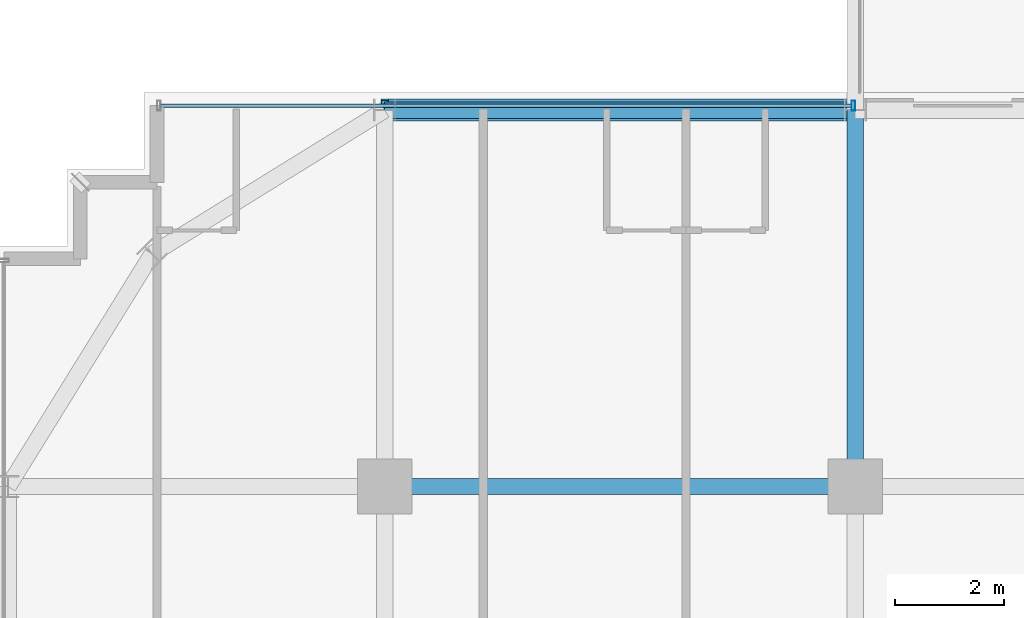
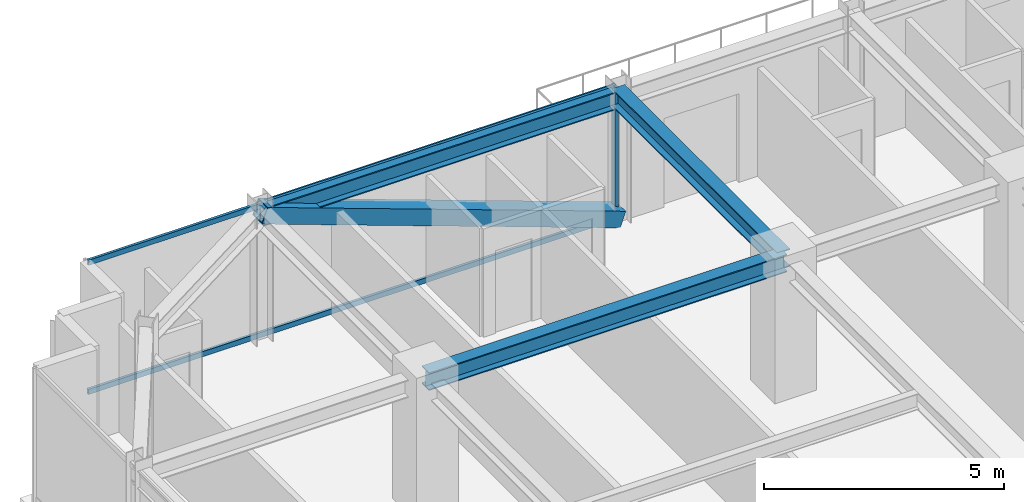
# One storey, part 21 of 43: 4 members, 3 beams, 1 element without a shape of its own.
"""IFC4 building model written with IfcOpenShell, lengths in metres."""

from ifc_helpers import new_model, si_unit, direction, frame, origin, origin_2d, place, context, subcontext, project, spatial, hollow_rectangle, i_section, extrude, source, transform, mapped, material, material_profile, profile_set, type_object, element, aggregate, save


model = new_model("IFC4")

# Units and contexts
model_context = context("Model", 3, precision=1e-05, world=origin(), true_north=direction((0.0, 1.0)))
body_context = subcontext(model_context, "Body", "Model", "MODEL_VIEW")
ifc_project = project(units=[si_unit("LENGTHUNIT", "METRE"), si_unit("AREAUNIT", "SQUARE_METRE"), si_unit("VOLUMEUNIT", "CUBIC_METRE"), si_unit("PLANEANGLEUNIT", "RADIAN"), si_unit("MASSUNIT", "GRAM", prefix="KILO")], contexts=[model_context])

# Site, building, storey
site_placement = place(None, origin())
site = spatial("IfcSite", under=ifc_project, at=site_placement, CompositionType="ELEMENT")
building_placement = place(site_placement, origin())
building = spatial("IfcBuilding", under=site, at=building_placement, Name="Nahalor Promenade Grand Hotel", CompositionType="ELEMENT")
storey_placement = place(building_placement, frame((0.0, 0.0, 204.89990234375)))
storey = spatial("IfcBuildingStorey", under=building, at=storey_placement, Name="L52", CompositionType="ELEMENT", Elevation=204.89990234375)

# Beams
ifc_material_1 = material(Name="Steel S355JR", Category="steel")
ifc_material_profile_1 = material_profile(ifc_material_1, i_section(OverallWidth=0.3, OverallDepth=0.45, WebThickness=0.014, FlangeThickness=0.026, at=origin_2d()), Name="HEB 450")
ifc_profile_set_1 = profile_set([ifc_material_profile_1], Name="Steel S355JR")
beam_type_1 = type_object("IfcBeamType", Name="Beam-Spandrel-HEB450", PredefinedType="SPANDREL", material=ifc_profile_set_1)
shared_shape_1 = source(origin(), body_context, "Body", "SweptSolid", [
    extrude(i_section(OverallWidth=0.3, OverallDepth=0.45, WebThickness=0.014, FlangeThickness=0.026, at=origin_2d()), origin(), (0.0, 0.0, 1.0), 8.60009765625),
])
beam_1_placement = place(storey_placement, frame((-17.0, 23.8798828125, 3.18505859375), z_axis=(1.0, 0.0, 0.0), x_axis=(0.0, 1.0, 0.0)))
element("IfcBeam", 1, at=beam_1_placement, inside=storey, type_object=beam_type_1, Name="BM-L52-SP-N-0", PredefinedType="SPANDREL", context=body_context, shape_type="MappedRepresentation", body=[
    mapped(shared_shape_1, transform((0.0, 0.0, 0.0), scale=1.0)),
])
ifc_material_profile_2 = material_profile(ifc_material_1, i_section(OverallWidth=0.3, OverallDepth=0.45, WebThickness=0.014, FlangeThickness=0.026, at=origin_2d()), Name="HEB 450")
ifc_profile_set_2 = profile_set([ifc_material_profile_2], Name="Steel S355JR")
beam_type_2 = type_object("IfcBeamType", Name="Beam-Girder-HEB450", PredefinedType="BEAM", material=ifc_profile_set_2)
shared_shape_2 = source(origin(), body_context, "Body", "SweptSolid", [
    extrude(i_section(OverallWidth=0.3, OverallDepth=0.45, WebThickness=0.014, FlangeThickness=0.026, at=origin_2d()), origin(), (0.0, 0.0, 1.0), 6.8798828125),
])
beam_2_placement = place(storey_placement, frame((-8.39990234375, 17.0, 3.18505859375), z_axis=(0.0, 1.0, 0.0), x_axis=(-1.0, 0.0, 0.0)))
element("IfcBeam", 2, at=beam_2_placement, inside=storey, type_object=beam_type_2, Name="BM-L52-GY-1-4", PredefinedType="BEAM", context=body_context, shape_type="MappedRepresentation", body=[
    mapped(shared_shape_2, transform((0.0, 0.0, 0.0), scale=1.0)),
])
shared_shape_3 = source(origin(), body_context, "Body", "SweptSolid", [
    extrude(i_section(OverallWidth=0.3, OverallDepth=0.45, WebThickness=0.014, FlangeThickness=0.026, at=origin_2d()), origin(), (0.0, 0.0, 1.0), 8.60009765625),
])
beam_3_placement = place(storey_placement, frame((-17.0, 17.0, 3.18505859375), z_axis=(1.0, 0.0, 0.0), x_axis=(0.0, 1.0, 0.0)))
element("IfcBeam", 3, at=beam_3_placement, inside=storey, type_object=beam_type_2, Name="BM-L52-GX-3-1", PredefinedType="BEAM", context=body_context, shape_type="MappedRepresentation", body=[
    mapped(shared_shape_3, transform((0.0, 0.0, 0.0), scale=1.0)),
])

# Member
ifc_material_profile_3 = material_profile(ifc_material_1, hollow_rectangle(XDim=0.4, YDim=0.4, WallThickness=0.022, at=origin_2d()), Name="SHS 400x400x22")
ifc_profile_set_3 = profile_set([ifc_material_profile_3], Name="Steel S355JR")
member_type_1 = type_object("IfcMemberType", Name="Mem-ExoBrace-SHS400", PredefinedType="BRACE", material=ifc_profile_set_3)
shared_shape_4 = source(origin(), body_context, "Body", "SweptSolid", [
    extrude(hollow_rectangle(XDim=0.4, YDim=0.4, WallThickness=0.022, at=origin_2d()), origin(), (0.0, 0.0, 1.0), 9.14501953125),
])
member_1_placement = place(storey_placement, frame((-8.39990234375, 23.8798828125, 0.150146484375), z_axis=(-0.940404564616, 0.0, 0.340057722821), x_axis=(0.0, -1.0, 0.0)))
element("IfcMember", 4, at=member_1_placement, inside=storey, type_object=member_type_1, Name="EXO-L52-N-0", PredefinedType="BRACE", context=body_context, shape_type="MappedRepresentation", body=[
    mapped(shared_shape_4, transform((0.0, 0.0, 0.0), scale=1.0)),
])

# Curtain wall, members
ifc_material_2 = material(Name="Anodised Bronze Aluminium EN AW-6063 T6", Category="aluminium")
curtain_wall_type = type_object("IfcCurtainWallType", Name="CW2 Typical Hotel Flush Bronze Unitised Curtain Wall", PredefinedType="USERDEFINED", material=ifc_material_2)
curtain_wall_placement = place(storey_placement, origin())
curtain_wall = element("IfcCurtainWall", 5, at=curtain_wall_placement, inside=storey, type_object=curtain_wall_type, Name="L52 Curtain Wall CW-L52-N-1", ObjectType="UNITISED_CURTAIN_WALL", PredefinedType="USERDEFINED")
ifc_material_profile_4 = material_profile(ifc_material_2, hollow_rectangle(XDim=0.065, YDim=0.18, WallThickness=0.004, at=origin_2d()), Name="CWM 65x180x4")
ifc_profile_set_4 = profile_set([ifc_material_profile_4], Name="Anodised Bronze Aluminium EN AW-6063 T6")
member_type_2 = type_object("IfcMemberType", Name="CWM2 Typical Bronze Mullion 65x180", PredefinedType="MULLION", material=ifc_profile_set_4)
shared_shape_5 = source(origin(), body_context, "Body", "SweptSolid", [
    extrude(hollow_rectangle(XDim=0.065, YDim=0.18, WallThickness=0.004, at=origin_2d()), origin(), (0.0, 0.0, 1.0), 3.41015625),
])
member_2_placement = place(storey_placement, frame((-8.4326171875, 23.9599609375, 0.0), z_axis=(0.0, 0.0, 1.0), x_axis=(1.0, 0.0, 0.0)))
member_2 = element("IfcMember", 6, at=member_2_placement, type_object=member_type_2, Name="CW-L52-N-1 Mullion 1", PredefinedType="MULLION", context=body_context, shape_type="MappedRepresentation", body=[
    mapped(shared_shape_5, transform((0.0, 0.0, 0.0), scale=1.0)),
])
ifc_material_profile_5 = material_profile(ifc_material_2, hollow_rectangle(XDim=0.065, YDim=0.13, WallThickness=0.004, at=origin_2d()), Name="CWT 65x130x4")
ifc_profile_set_5 = profile_set([ifc_material_profile_5], Name="Anodised Bronze Aluminium EN AW-6063 T6")
member_type_3 = type_object("IfcMemberType", Name="CWT2 Typical Bronze Transom 65x130", PredefinedType="USERDEFINED", material=ifc_profile_set_5)
shared_shape_6 = source(origin(), body_context, "Body", "SweptSolid", [
    extrude(hollow_rectangle(XDim=0.065, YDim=0.13, WallThickness=0.004, at=origin_2d()), origin(), (0.0, 0.0, 1.0), 12.6298828125),
])
member_3_placement = place(storey_placement, frame((-21.094970703125, 23.9599609375, 0.065185546875), z_axis=(1.0, 0.0, 0.0), x_axis=(0.0, 1.0, 0.0)))
member_3 = element("IfcMember", 7, at=member_3_placement, type_object=member_type_3, Name="CW-L52-N-1 Transom 0-0", ObjectType="TRANSOM", PredefinedType="USERDEFINED", context=body_context, shape_type="MappedRepresentation", body=[
    mapped(shared_shape_6, transform((0.0, 0.0, 0.0), scale=1.0)),
])
member_4_placement = place(storey_placement, frame((-21.094970703125, 23.9599609375, 3.34521484375), z_axis=(1.0, 0.0, 0.0), x_axis=(0.0, 1.0, 0.0)))
member_4 = element("IfcMember", 8, at=member_4_placement, type_object=member_type_3, Name="CW-L52-N-1 Transom 0-1", ObjectType="TRANSOM", PredefinedType="USERDEFINED", context=body_context, shape_type="MappedRepresentation", body=[
    mapped(shared_shape_6, transform((0.0, 0.0, 0.0), scale=1.0)),
])
aggregate(curtain_wall, [member_2, member_3, member_4])

save(model, "model.ifc")
